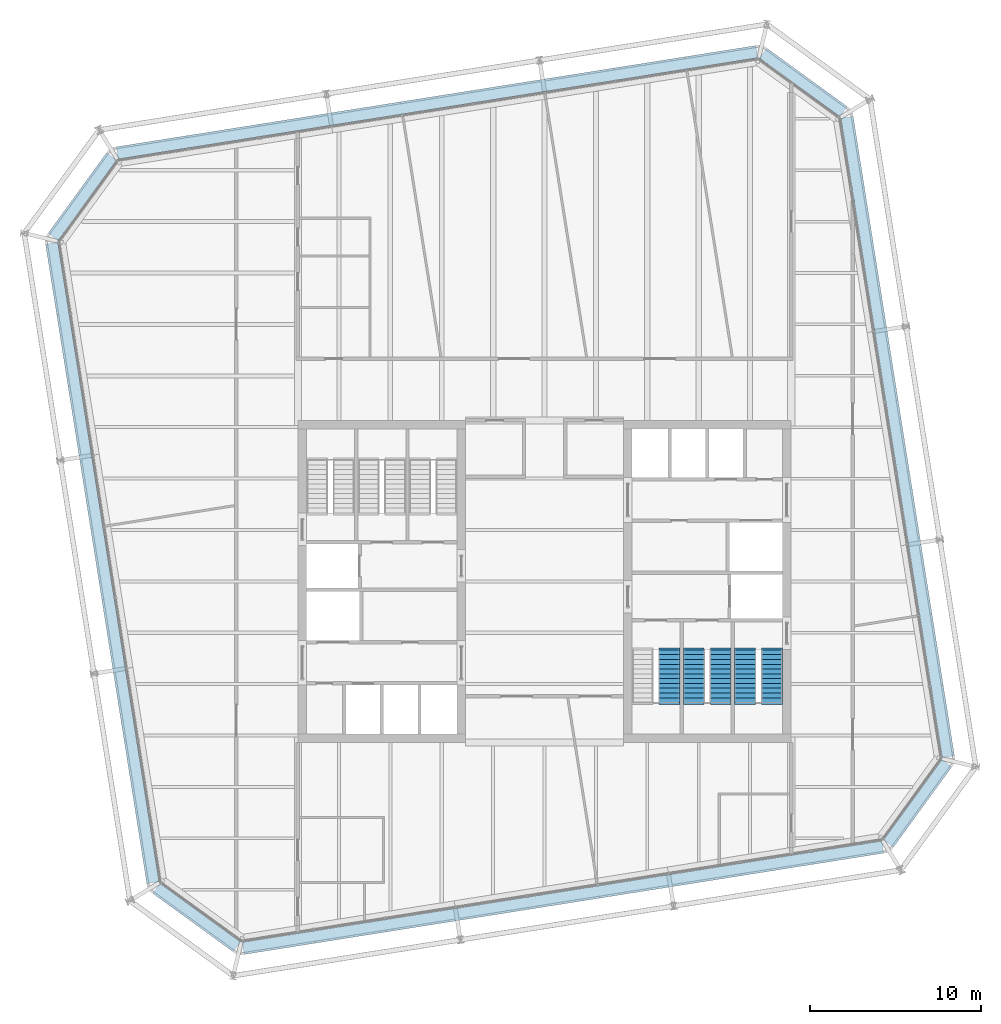
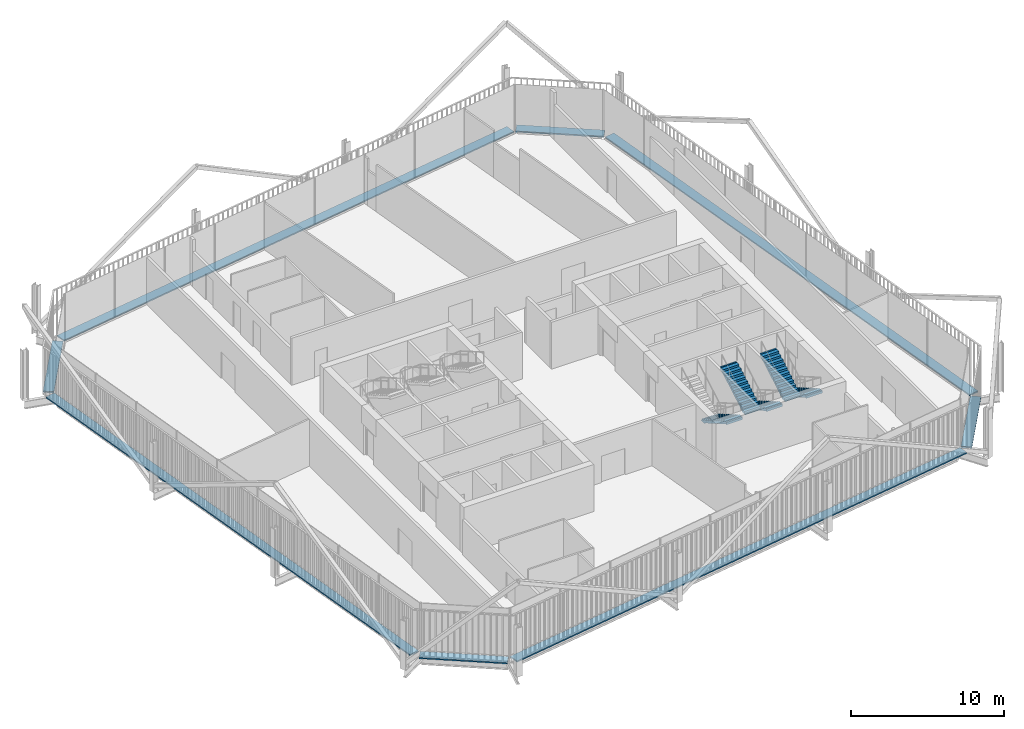
# One storey, part 20 of 21: 8 discrete accessories, 5 stair flights, 3 elements without a shape of their own.
"""IFC4 building model written with IfcOpenShell, lengths in metres."""

from ifc_helpers import new_model, si_unit, direction, frame, origin, origin_2d, place, context, subcontext, project, spatial, polyline, rectangle, outline, extrude, material, type_object, element, aggregate, save


model = new_model("IFC4")

# Units and contexts
model_context = context("Model", 3, precision=1e-05, world=origin(), true_north=direction((0.0, 1.0)))
body_context = subcontext(model_context, "Body", "Model", "MODEL_VIEW")
ifc_project = project(units=[si_unit("LENGTHUNIT", "METRE"), si_unit("AREAUNIT", "SQUARE_METRE"), si_unit("VOLUMEUNIT", "CUBIC_METRE"), si_unit("PLANEANGLEUNIT", "RADIAN"), si_unit("MASSUNIT", "GRAM", prefix="KILO")], contexts=[model_context])

# Site, building, storey
site_placement = place(None, origin())
site = spatial("IfcSite", under=ifc_project, at=site_placement, CompositionType="ELEMENT")
building_placement = place(site_placement, origin())
building = spatial("IfcBuilding", under=site, at=building_placement, Name="Millrace Tower", CompositionType="ELEMENT")
storey_placement = place(building_placement, frame((0.0, 0.0, 220.300048828125)))
storey = spatial("IfcBuildingStorey", under=building, at=storey_placement, Name="L50", CompositionType="ELEMENT", Elevation=220.300048828125)

# Stair, stair flights
ifc_material_1 = material(Name="Concrete C35", Category="concrete")
stair_type = type_object("IfcStairType", Name="Exit stair", PredefinedType="HALF_TURN_STAIR", material=ifc_material_1)
placement = place(storey_placement, origin())
stair_1 = element("IfcStair", 1, at=placement, inside=storey, type_object=stair_type, Name="Stair 1 E L50", PredefinedType="HALF_TURN_STAIR")
ifc_material_2 = material(Name="Concrete C35", Category="concrete")
stair_flight_type = type_object("IfcStairFlightType", Name="Exit stair flight", PredefinedType="STRAIGHT", material=ifc_material_2)
stair_flight_1_placement = place(storey_placement, frame((13.2900390625, -4.0, 0.0), z_axis=(0.0, 0.0, 1.0), x_axis=(0.0, -1.0, 0.0)))
stair_flight_1 = element("IfcStairFlight", 2, at=stair_flight_1_placement, type_object=stair_flight_type, Name="ST12 flight 1", NumberOfRisers=12, NumberOfTreads=11, PredefinedType="STRAIGHT", RiserHeight=0.1625, TreadLength=0.28, context=body_context, shape_type="SweptSolid", body=[
    extrude(outline(polyline([(-0.1201171875, -0.0400390625), (-0.1201171875, 0.0), (0.0, 0.0), (0.0, 0.16259765625), (0.280029296875, 0.16259765625), (0.280029296875, 0.324951171875), (0.56005859375, 0.324951171875), (0.56005859375, 0.487548828125), (0.840087890625, 0.487548828125), (0.840087890625, 0.64990234375), (1.1201171875, 0.64990234375), (1.1201171875, 0.8125), (1.39990234375, 0.8125), (1.39990234375, 0.97509765625), (1.679931640625, 0.97509765625), (1.679931640625, 1.137451171875), (1.9599609375, 1.137451171875), (1.9599609375, 1.300048828125), (2.239990234375, 1.300048828125), (2.239990234375, 1.46240234375), (2.52001953125, 1.46240234375), (2.52001953125, 1.625), (2.800048828125, 1.625), (2.800048828125, 1.78759765625), (3.080078125, 1.78759765625), (3.080078125, 1.8076171875), (3.199951171875, 1.8076171875), (3.199951171875, 1.6142578125), (3.080078125, 1.6142578125), (0.298583984375, 0.0), (0.298583984375, -0.0400390625), (-0.1201171875, -0.0400390625)])), frame((0.0, 0.60986328125, 0.0), z_axis=(0.0, -1.0, 0.0), x_axis=(1.0, 0.0, 0.0)), (0.0, 0.0, 1.0), 1.219970703125),
])
stair_flight_2_placement = place(storey_placement, frame((11.7099609375, -7.080078125, 1.949951171875), z_axis=(0.0, 0.0, 1.0), x_axis=(0.0, 1.0, 0.0)))
stair_flight_2 = element("IfcStairFlight", 3, at=stair_flight_2_placement, type_object=stair_flight_type, Name="ST12 flight 2", NumberOfRisers=12, NumberOfTreads=11, PredefinedType="STRAIGHT", RiserHeight=0.1625, TreadLength=0.28, context=body_context, shape_type="SweptSolid", body=[
    extrude(outline(polyline([(-0.1201171875, -0.0400390625), (-0.1201171875, 0.0), (0.0, 0.0), (0.0, 0.16259765625), (0.280029296875, 0.16259765625), (0.280029296875, 0.324951171875), (0.56005859375, 0.324951171875), (0.56005859375, 0.487548828125), (0.840087890625, 0.487548828125), (0.840087890625, 0.64990234375), (1.1201171875, 0.64990234375), (1.1201171875, 0.8125), (1.39990234375, 0.8125), (1.39990234375, 0.97509765625), (1.679931640625, 0.97509765625), (1.679931640625, 1.137451171875), (1.9599609375, 1.137451171875), (1.9599609375, 1.300048828125), (2.239990234375, 1.300048828125), (2.239990234375, 1.46240234375), (2.52001953125, 1.46240234375), (2.52001953125, 1.625), (2.800048828125, 1.625), (2.800048828125, 1.78759765625), (3.080078125, 1.78759765625), (3.080078125, 1.8076171875), (3.199951171875, 1.8076171875), (3.199951171875, 1.6142578125), (3.080078125, 1.6142578125), (0.298583984375, 0.0), (0.298583984375, -0.0400390625), (-0.1201171875, -0.0400390625)])), frame((0.0, 0.60986328125, 0.0), z_axis=(0.0, -1.0, 0.0), x_axis=(1.0, 0.0, 0.0)), (0.0, 0.0, 1.0), 1.219970703125),
])
aggregate(stair_1, [stair_flight_1, stair_flight_2])

stair_2 = element("IfcStair", 4, at=placement, inside=storey, type_object=stair_type, Name="Stair 2 E L50", PredefinedType="HALF_TURN_STAIR")
stair_flight_3_placement = place(storey_placement, frame((10.2900390625, -4.0, 0.0), z_axis=(0.0, 0.0, 1.0), x_axis=(0.0, -1.0, 0.0)))
stair_flight_3 = element("IfcStairFlight", 5, at=stair_flight_3_placement, type_object=stair_flight_type, Name="ST12 flight 1", NumberOfRisers=12, NumberOfTreads=11, PredefinedType="STRAIGHT", RiserHeight=0.1625, TreadLength=0.28, context=body_context, shape_type="SweptSolid", body=[
    extrude(outline(polyline([(-0.1201171875, -0.0400390625), (-0.1201171875, 0.0), (0.0, 0.0), (0.0, 0.16259765625), (0.280029296875, 0.16259765625), (0.280029296875, 0.324951171875), (0.56005859375, 0.324951171875), (0.56005859375, 0.487548828125), (0.840087890625, 0.487548828125), (0.840087890625, 0.64990234375), (1.1201171875, 0.64990234375), (1.1201171875, 0.8125), (1.39990234375, 0.8125), (1.39990234375, 0.97509765625), (1.679931640625, 0.97509765625), (1.679931640625, 1.137451171875), (1.9599609375, 1.137451171875), (1.9599609375, 1.300048828125), (2.239990234375, 1.300048828125), (2.239990234375, 1.46240234375), (2.52001953125, 1.46240234375), (2.52001953125, 1.625), (2.800048828125, 1.625), (2.800048828125, 1.78759765625), (3.080078125, 1.78759765625), (3.080078125, 1.8076171875), (3.199951171875, 1.8076171875), (3.199951171875, 1.6142578125), (3.080078125, 1.6142578125), (0.298583984375, 0.0), (0.298583984375, -0.0400390625), (-0.1201171875, -0.0400390625)])), frame((0.0, 0.60986328125, 0.0), z_axis=(0.0, -1.0, 0.0), x_axis=(1.0, 0.0, 0.0)), (0.0, 0.0, 1.0), 1.219970703125),
])
stair_flight_4_placement = place(storey_placement, frame((8.7099609375, -7.080078125, 1.949951171875), z_axis=(0.0, 0.0, 1.0), x_axis=(0.0, 1.0, 0.0)))
stair_flight_4 = element("IfcStairFlight", 6, at=stair_flight_4_placement, type_object=stair_flight_type, Name="ST12 flight 2", NumberOfRisers=12, NumberOfTreads=11, PredefinedType="STRAIGHT", RiserHeight=0.1625, TreadLength=0.28, context=body_context, shape_type="SweptSolid", body=[
    extrude(outline(polyline([(-0.1201171875, -0.0400390625), (-0.1201171875, 0.0), (0.0, 0.0), (0.0, 0.16259765625), (0.280029296875, 0.16259765625), (0.280029296875, 0.324951171875), (0.56005859375, 0.324951171875), (0.56005859375, 0.487548828125), (0.840087890625, 0.487548828125), (0.840087890625, 0.64990234375), (1.1201171875, 0.64990234375), (1.1201171875, 0.8125), (1.39990234375, 0.8125), (1.39990234375, 0.97509765625), (1.679931640625, 0.97509765625), (1.679931640625, 1.137451171875), (1.9599609375, 1.137451171875), (1.9599609375, 1.300048828125), (2.239990234375, 1.300048828125), (2.239990234375, 1.46240234375), (2.52001953125, 1.46240234375), (2.52001953125, 1.625), (2.800048828125, 1.625), (2.800048828125, 1.78759765625), (3.080078125, 1.78759765625), (3.080078125, 1.8076171875), (3.199951171875, 1.8076171875), (3.199951171875, 1.6142578125), (3.080078125, 1.6142578125), (0.298583984375, 0.0), (0.298583984375, -0.0400390625), (-0.1201171875, -0.0400390625)])), frame((0.0, 0.60986328125, 0.0), z_axis=(0.0, -1.0, 0.0), x_axis=(1.0, 0.0, 0.0)), (0.0, 0.0, 1.0), 1.219970703125),
])
aggregate(stair_2, [stair_flight_3, stair_flight_4])

# Stair, stair flight
stair_3 = element("IfcStair", 7, at=placement, inside=storey, type_object=stair_type, Name="Stair 3 E L50", PredefinedType="HALF_TURN_STAIR")
stair_flight_5_placement = place(storey_placement, frame((7.2900390625, -4.0, 0.0), z_axis=(0.0, 0.0, 1.0), x_axis=(0.0, -1.0, 0.0)))
stair_flight_5 = element("IfcStairFlight", 8, at=stair_flight_5_placement, type_object=stair_flight_type, Name="ST12 flight 1", NumberOfRisers=12, NumberOfTreads=11, PredefinedType="STRAIGHT", RiserHeight=0.1625, TreadLength=0.28, context=body_context, shape_type="SweptSolid", body=[
    extrude(outline(polyline([(-0.1201171875, -0.0400390625), (-0.1201171875, 0.0), (0.0, 0.0), (0.0, 0.16259765625), (0.280029296875, 0.16259765625), (0.280029296875, 0.324951171875), (0.56005859375, 0.324951171875), (0.56005859375, 0.487548828125), (0.840087890625, 0.487548828125), (0.840087890625, 0.64990234375), (1.1201171875, 0.64990234375), (1.1201171875, 0.8125), (1.39990234375, 0.8125), (1.39990234375, 0.97509765625), (1.679931640625, 0.97509765625), (1.679931640625, 1.137451171875), (1.9599609375, 1.137451171875), (1.9599609375, 1.300048828125), (2.239990234375, 1.300048828125), (2.239990234375, 1.46240234375), (2.52001953125, 1.46240234375), (2.52001953125, 1.625), (2.800048828125, 1.625), (2.800048828125, 1.78759765625), (3.080078125, 1.78759765625), (3.080078125, 1.8076171875), (3.199951171875, 1.8076171875), (3.199951171875, 1.6142578125), (3.080078125, 1.6142578125), (0.298583984375, 0.0), (0.298583984375, -0.0400390625), (-0.1201171875, -0.0400390625)])), frame((0.0, 0.60986328125, 0.0), z_axis=(0.0, -1.0, 0.0), x_axis=(1.0, 0.0, 0.0)), (0.0, 0.0, 1.0), 1.219970703125),
])
aggregate(stair_3, [stair_flight_5])

# Discrete accessories
ifc_material_3 = material(Name="Stainless steel ASTM A240 type 316", Category="steel")
discrete_accessory_type = type_object("IfcDiscreteAccessoryType", Name="Thermally broken screen support rail", PredefinedType="BRACKET", material=ifc_material_3)
discrete_accessory_1_placement = place(storey_placement, frame((-20.314453125, -19.632080078125, 0.0), z_axis=(0.0, 0.0, 1.0), x_axis=(0.809016955361, -0.587785305991, 0.0)))
element("IfcDiscreteAccessory", 9, at=discrete_accessory_1_placement, inside=storey, type_object=discrete_accessory_type, Name="Thermally broken screen support rail D-F01 L50 1", PredefinedType="BRACKET", context=body_context, shape_type="SweptSolid", body=[
    extrude(rectangle(XDim=5.79833984375, YDim=0.719970703125, at=origin_2d()), origin(), (0.0, 0.0, 1.0), 0.10009765625),
])
discrete_accessory_2_placement = place(storey_placement, frame((1.077880859375, -18.470458984375, 0.0), z_axis=(0.0, 0.0, 1.0), x_axis=(0.987688339511, 0.156434471884, 0.0)))
element("IfcDiscreteAccessory", 10, at=discrete_accessory_2_placement, inside=storey, type_object=discrete_accessory_type, Name="Thermally broken screen support rail D-F02 L50 1", PredefinedType="BRACKET", context=body_context, shape_type="SweptSolid", body=[
    extrude(rectangle(XDim=37.800048828125, YDim=0.719970703125, at=origin_2d()), origin(), (0.0, 0.0, 1.0), 0.10009765625),
])
discrete_accessory_3_placement = place(storey_placement, frame((21.781982421875, -12.964599609375, 0.0), z_axis=(0.0, 0.0, 1.0), x_axis=(0.587785305991, 0.809016955361, 0.0)))
element("IfcDiscreteAccessory", 11, at=discrete_accessory_3_placement, inside=storey, type_object=discrete_accessory_type, Name="Thermally broken screen support rail D-F03 L50 1", PredefinedType="BRACKET", context=body_context, shape_type="SweptSolid", body=[
    extrude(rectangle(XDim=5.79833984375, YDim=0.719970703125, at=origin_2d()), origin(), (0.0, 0.0, 1.0), 0.10009765625),
])
discrete_accessory_4_placement = place(storey_placement, frame((20.62060546875, 8.427734375, 0.0), z_axis=(0.0, 0.0, 1.0), x_axis=(-0.156434471884, 0.987688339511, 0.0)))
element("IfcDiscreteAccessory", 12, at=discrete_accessory_4_placement, inside=storey, type_object=discrete_accessory_type, Name="Thermally broken screen support rail D-F04 L50 1", PredefinedType="BRACKET", context=body_context, shape_type="SweptSolid", body=[
    extrude(rectangle(XDim=37.800048828125, YDim=0.719970703125, at=origin_2d()), origin(), (0.0, 0.0, 1.0), 0.10009765625),
])
discrete_accessory_5_placement = place(storey_placement, frame((15.114501953125, 29.132080078125, 0.0), z_axis=(0.0, 0.0, 1.0), x_axis=(-0.809016955361, 0.587785305991, 0.0)))
element("IfcDiscreteAccessory", 13, at=discrete_accessory_5_placement, inside=storey, type_object=discrete_accessory_type, Name="Thermally broken screen support rail D-F05 L50 1", PredefinedType="BRACKET", context=body_context, shape_type="SweptSolid", body=[
    extrude(rectangle(XDim=5.79833984375, YDim=0.719970703125, at=origin_2d()), origin(), (0.0, 0.0, 1.0), 0.10009765625),
])
discrete_accessory_6_placement = place(storey_placement, frame((-6.27783203125, 27.970458984375, 0.0), z_axis=(0.0, 0.0, 1.0), x_axis=(-0.987688339511, -0.156434471884, 0.0)))
element("IfcDiscreteAccessory", 14, at=discrete_accessory_6_placement, inside=storey, type_object=discrete_accessory_type, Name="Thermally broken screen support rail D-F06 L50 1", PredefinedType="BRACKET", context=body_context, shape_type="SweptSolid", body=[
    extrude(rectangle(XDim=37.800048828125, YDim=0.719970703125, at=origin_2d()), origin(), (0.0, 0.0, 1.0), 0.10009765625),
])
discrete_accessory_7_placement = place(storey_placement, frame((-26.98193359375, 22.464599609375, 0.0), z_axis=(0.0, 0.0, 1.0), x_axis=(-0.587785305991, -0.809016955361, 0.0)))
element("IfcDiscreteAccessory", 15, at=discrete_accessory_7_placement, inside=storey, type_object=discrete_accessory_type, Name="Thermally broken screen support rail D-F07 L50 1", PredefinedType="BRACKET", context=body_context, shape_type="SweptSolid", body=[
    extrude(rectangle(XDim=5.79833984375, YDim=0.719970703125, at=origin_2d()), origin(), (0.0, 0.0, 1.0), 0.10009765625),
])
discrete_accessory_8_placement = place(storey_placement, frame((-25.820556640625, 1.072265625, 0.0), z_axis=(0.0, 0.0, 1.0), x_axis=(0.156434471884, -0.987688339511, 0.0)))
element("IfcDiscreteAccessory", 16, at=discrete_accessory_8_placement, inside=storey, type_object=discrete_accessory_type, Name="Thermally broken screen support rail D-F08 L50 1", PredefinedType="BRACKET", context=body_context, shape_type="SweptSolid", body=[
    extrude(rectangle(XDim=37.800048828125, YDim=0.719970703125, at=origin_2d()), origin(), (0.0, 0.0, 1.0), 0.10009765625),
])

save(model, "model.ifc")
